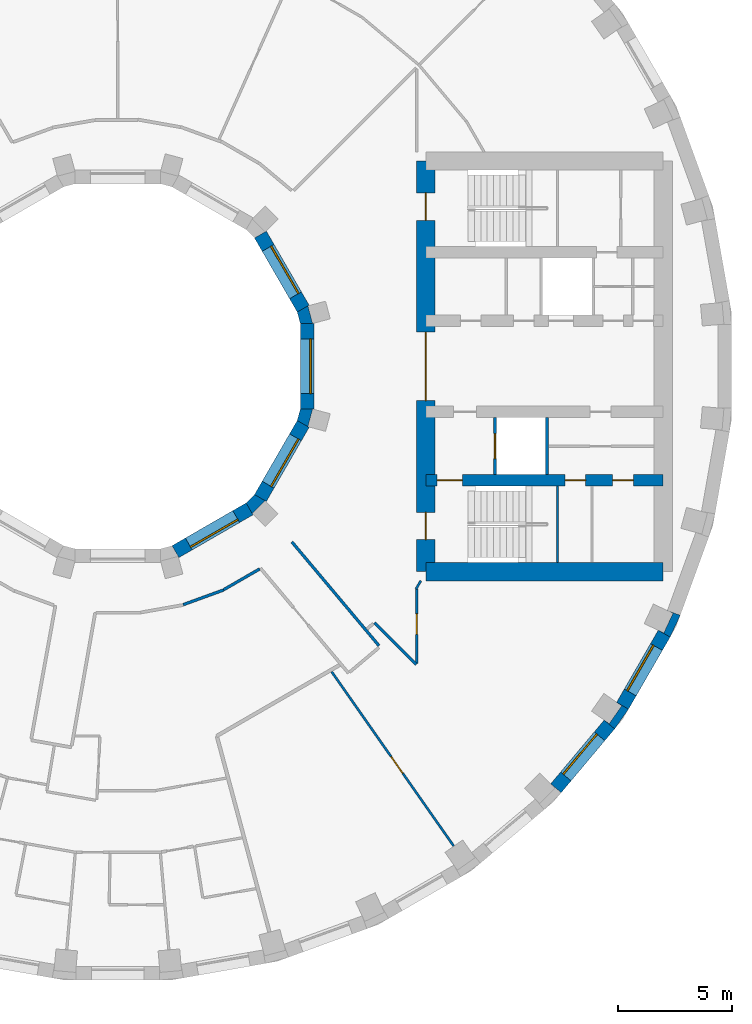
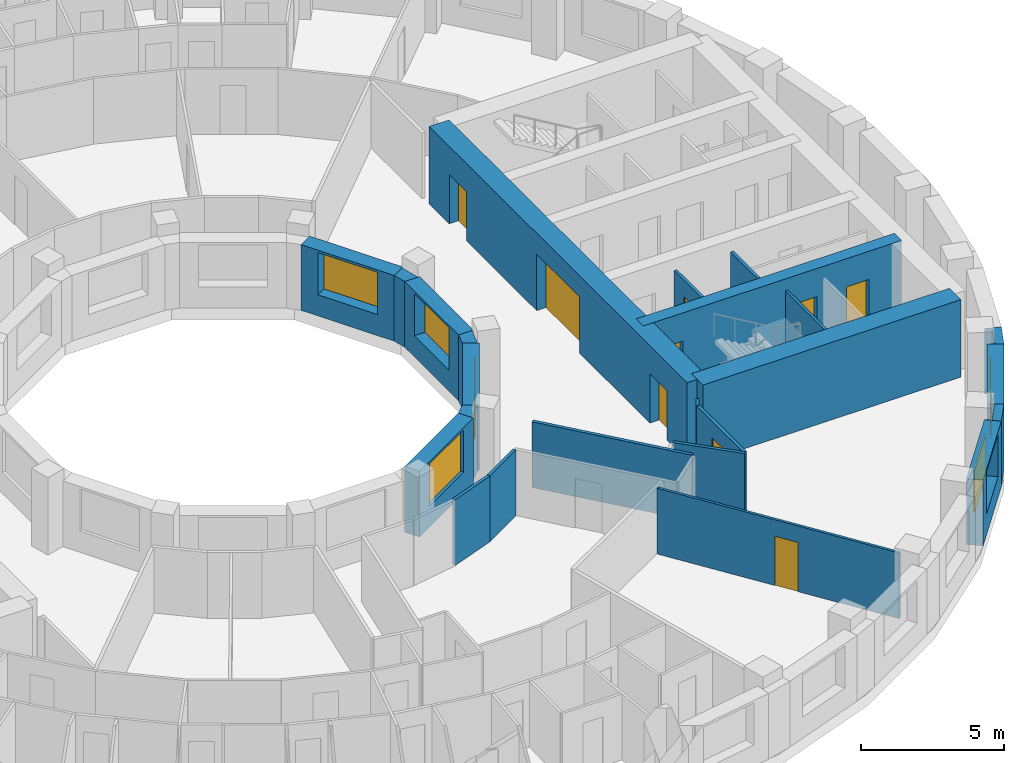
# One storey, part 6 of 12: 24 walls, 9 doors, 6 windows, 15 openings.
"""IFC4 building model written with IfcOpenShell, lengths in metres."""

from ifc_helpers import new_model, si_unit, direction, frame, frame_2d, origin, place, context, subcontext, project, spatial, polyline, rectangle, outline, extrude, material, layer, layer_set, type_object, element, fill, save


model = new_model("IFC4")

# Units and contexts
model_context = context("Model", 3, precision=1e-05, world=origin(), true_north=direction((0.0, 1.0)))
body_context = subcontext(model_context, "Body", "Model", "MODEL_VIEW")
ifc_project = project(units=[si_unit("LENGTHUNIT", "METRE"), si_unit("AREAUNIT", "SQUARE_METRE"), si_unit("VOLUMEUNIT", "CUBIC_METRE"), si_unit("PLANEANGLEUNIT", "RADIAN"), si_unit("MASSUNIT", "GRAM", prefix="KILO")], contexts=[model_context])

# Site, building, storey
site_placement = place(None, origin())
site = spatial("IfcSite", under=ifc_project, at=site_placement, CompositionType="ELEMENT")
building_placement = place(site_placement, origin())
building = spatial("IfcBuilding", under=site, at=building_placement, Name="Saqina Gate Tower", CompositionType="ELEMENT")
storey_placement = place(building_placement, frame((0.0, 0.0, 115.0)))
storey = spatial("IfcBuildingStorey", under=building, at=storey_placement, Name="L32", CompositionType="ELEMENT", Elevation=115.0)

# Walls
ifc_material_1 = material(Name="Brick masonry (buff)", Category="masonry")
wall_type_1 = type_object("IfcWallType", Name="BRICK PIER COPING BUFF", PredefinedType="SOLIDWALL", material=ifc_material_1)
wall_1_placement = place(storey_placement, origin())
element("IfcWall", 1, at=wall_1_placement, inside=storey, type_object=wall_type_1, Name="Pier cap L32 column 33", PredefinedType="SOLIDWALL", context=body_context, shape_type="SweptSolid", body=[
    extrude(outline(polyline([(22.3818359375, -15.0283203125), (21.862060546875, -14.728271484375), (22.08251953125, -14.88232421875), (21.53759765625, -15.66064453125), (21.317138671875, -15.50634765625), (21.77685546875, -15.89208984375), (22.3818359375, -15.0283203125)])), origin(), (0.0, 0.0, 1.0), 2.800048828125),
])
wall_2_placement = place(storey_placement, origin())
element("IfcWall", 2, at=wall_2_placement, inside=storey, type_object=wall_type_1, Name="Pier cap L32 column 34", PredefinedType="SOLIDWALL", context=body_context, shape_type="SweptSolid", body=[
    extrude(outline(polyline([(24.6513671875, -10.913330078125), (24.08740234375, -10.7080078125), (24.331298828125, -10.82177734375), (23.9296875, -11.6826171875), (23.68603515625, -11.569091796875), (24.205810546875, -11.869140625), (24.6513671875, -10.913330078125)])), origin(), (0.0, 0.0, 1.0), 2.800048828125),
])

# Wall, opening, window
ifc_material_2 = material(Name="Brick masonry (buff)", Category="masonry")
ifc_layer_1 = layer(ifc_material_2, 0.60009765625)
ifc_layer_set_1 = layer_set([ifc_layer_1], Name="FW-BRICK-BUFF")
wall_type_2 = type_object("IfcWallType", Name="FW-BRICK-BUFF", PredefinedType="SOLIDWALL", material=ifc_layer_set_1)
wall_3_placement = place(storey_placement, frame((19.202392578125, -18.49365234375, 0.0), z_axis=(0.0, 0.0, 1.0), x_axis=(0.642774476932, 0.766055462616, 0.0)))
wall_3 = element("IfcWall", 3, at=wall_3_placement, inside=storey, type_object=wall_type_2, Name="Facade wall L32 facet 32", PredefinedType="SOLIDWALL", context=body_context, shape_type="SweptSolid", body=[
    extrude(rectangle(XDim=3.647705078125, YDim=0.60009765625, at=frame_2d((1.82373046875, 0.0))), origin(), (0.0, 0.0, 1.0), 2.800048828125),
])
opening_1_placement = place(wall_3_placement, frame((0.673828125, 0.0, 0.89990234375)))
opening_1 = element("IfcOpeningElement", 4, at=opening_1_placement, cuts=wall_3, Name="Opening G09-W24", PredefinedType="OPENING", context=body_context, shape_type="SweptSolid", body=[
    extrude(rectangle(XDim=2.300048828125, YDim=1.800048828125, at=frame_2d((1.14990234375, 0.89990234375))), frame((0.0, 0.31201171875, 0.0), z_axis=(0.0, -1.0, 0.0), x_axis=(1.0, 0.0, 0.0)), (0.0, 0.0, 1.0), 0.6240234375),
])
ifc_material_3 = material(Name="Aluminium glazing", Category="aluminium")
window_type_1 = type_object("IfcWindowType", Name="WN-B", PartitioningType="SINGLE_PANEL", PredefinedType="WINDOW", material=ifc_material_3)
window_1_placement = place(opening_1_placement, origin())
window_1 = element("IfcWindow", 5, at=window_1_placement, inside=storey, type_object=window_type_1, Name="Window L32 facet 32", OverallHeight=1.800048828125, OverallWidth=2.300048828125, PartitioningType="SINGLE_PANEL", PredefinedType="WINDOW", context=body_context, shape_type="SweptSolid", body=[
    extrude(rectangle(XDim=2.300048828125, YDim=1.800048828125, at=frame_2d((1.14990234375, 0.89990234375))), frame((0.0, 0.179931640625, 0.0), z_axis=(0.0, -1.0, 0.0), x_axis=(1.0, 0.0, 0.0)), (0.0, 0.0, 1.0), 0.06005859375),
])
fill(opening_1, window_1)

wall_4_placement = place(storey_placement, frame((22.1220703125, -14.878173828125, 0.0), z_axis=(0.0, 0.0, 1.0), x_axis=(0.499954196102, 0.866051847062, 0.0)))
wall_4 = element("IfcWall", 6, at=wall_4_placement, inside=storey, type_object=wall_type_2, Name="Facade wall L32 facet 33", PredefinedType="SOLIDWALL", context=body_context, shape_type="SweptSolid", body=[
    extrude(rectangle(XDim=3.647705078125, YDim=0.60009765625, at=frame_2d((1.82373046875, 0.0))), origin(), (0.0, 0.0, 1.0), 2.800048828125),
])
opening_2_placement = place(wall_4_placement, frame((0.673828125, 0.0, 0.89990234375)))
opening_2 = element("IfcOpeningElement", 7, at=opening_2_placement, cuts=wall_4, Name="Opening G09-W25", PredefinedType="OPENING", context=body_context, shape_type="SweptSolid", body=[
    extrude(rectangle(XDim=2.300048828125, YDim=1.800048828125, at=frame_2d((1.14990234375, 0.89990234375))), frame((0.0, 0.31201171875, 0.0), z_axis=(0.0, -1.0, 0.0), x_axis=(1.0, 0.0, 0.0)), (0.0, 0.0, 1.0), 0.6240234375),
])
window_2_placement = place(opening_2_placement, origin())
window_2 = element("IfcWindow", 8, at=window_2_placement, inside=storey, type_object=window_type_1, Name="Window L32 facet 33", OverallHeight=1.800048828125, OverallWidth=2.300048828125, PartitioningType="SINGLE_PANEL", PredefinedType="WINDOW", context=body_context, shape_type="SweptSolid", body=[
    extrude(rectangle(XDim=2.300048828125, YDim=1.800048828125, at=frame_2d((1.14990234375, 0.89990234375))), frame((0.0, 0.179931640625, 0.0), z_axis=(0.0, -1.0, 0.0), x_axis=(1.0, 0.0, 0.0)), (0.0, 0.0, 1.0), 0.06005859375),
])
fill(opening_2, window_2)

ifc_material_4 = material(Name="Glazed ceramic tile", Category="ceramic")
ifc_layer_2 = layer(ifc_material_4, 0.60009765625)
ifc_layer_set_2 = layer_set([ifc_layer_2], Name="IW-TILE")
wall_type_3 = type_object("IfcWallType", Name="IW-TILE", PredefinedType="SOLIDWALL", material=ifc_layer_set_2)
wall_5_placement = place(storey_placement, frame((8.124755859375, 2.52734375, 0.0), z_axis=(0.0, 0.0, 1.0), x_axis=(-0.499964958637, 0.86604563398, 0.0)))
wall_5 = element("IfcWall", 9, at=wall_5_placement, inside=storey, type_object=wall_type_3, Name="Well wall L32 facet 1", PredefinedType="SOLIDWALL", context=body_context, shape_type="SweptSolid", body=[
    extrude(rectangle(XDim=3.747314453125, YDim=0.60009765625, at=frame_2d((1.87353515625, 0.0))), origin(), (0.0, 0.0, 1.0), 2.800048828125),
])
opening_3_placement = place(wall_5_placement, frame((0.673583984375, 0.0, 0.89990234375)))
opening_3 = element("IfcOpeningElement", 10, at=opening_3_placement, cuts=wall_5, Name="Opening G09-W26", PredefinedType="OPENING", context=body_context, shape_type="SweptSolid", body=[
    extrude(rectangle(XDim=2.39990234375, YDim=1.800048828125, at=frame_2d((1.199951171875, 0.89990234375))), frame((0.0, 0.31201171875, 0.0), z_axis=(0.0, -1.0, 0.0), x_axis=(1.0, 0.0, 0.0)), (0.0, 0.0, 1.0), 0.6240234375),
])
ifc_material_5 = material(Name="Aluminium glazing", Category="aluminium")
window_type_2 = type_object("IfcWindowType", Name="WN-W", PartitioningType="SINGLE_PANEL", PredefinedType="WINDOW", material=ifc_material_5)
window_3_placement = place(opening_3_placement, origin())
window_3 = element("IfcWindow", 11, at=window_3_placement, inside=storey, type_object=window_type_2, Name="Well window L32 facet 1", OverallHeight=1.800048828125, OverallWidth=2.39990234375, PartitioningType="SINGLE_PANEL", PredefinedType="WINDOW", context=body_context, shape_type="SweptSolid", body=[
    extrude(rectangle(XDim=2.39990234375, YDim=1.800048828125, at=frame_2d((1.199951171875, 0.89990234375))), frame((0.0, -0.119873046875, 0.0), z_axis=(0.0, -1.0, 0.0), x_axis=(1.0, 0.0, 0.0)), (0.0, 0.0, 1.0), 0.06005859375),
])
fill(opening_3, window_3)

wall_6_placement = place(storey_placement, frame((2.52734375, -8.124755859375, 0.0), z_axis=(0.0, 0.0, 1.0), x_axis=(0.86604563398, 0.499964958637, 0.0)))
wall_6 = element("IfcWall", 12, at=wall_6_placement, inside=storey, type_object=wall_type_3, Name="Well wall L32 facet 10", PredefinedType="SOLIDWALL", context=body_context, shape_type="SweptSolid", body=[
    extrude(rectangle(XDim=3.747314453125, YDim=0.60009765625, at=frame_2d((1.87353515625, 0.0))), origin(), (0.0, 0.0, 1.0), 2.800048828125),
])
opening_4_placement = place(wall_6_placement, frame((0.673583984375, 0.0, 0.89990234375)))
opening_4 = element("IfcOpeningElement", 13, at=opening_4_placement, cuts=wall_6, Name="Opening G09-W35", PredefinedType="OPENING", context=body_context, shape_type="SweptSolid", body=[
    extrude(rectangle(XDim=2.39990234375, YDim=1.800048828125, at=frame_2d((1.199951171875, 0.89990234375))), frame((0.0, 0.31201171875, 0.0), z_axis=(0.0, -1.0, 0.0), x_axis=(1.0, 0.0, 0.0)), (0.0, 0.0, 1.0), 0.6240234375),
])
window_4_placement = place(opening_4_placement, origin())
window_4 = element("IfcWindow", 14, at=window_4_placement, inside=storey, type_object=window_type_2, Name="Well window L32 facet 10", OverallHeight=1.800048828125, OverallWidth=2.39990234375, PartitioningType="SINGLE_PANEL", PredefinedType="WINDOW", context=body_context, shape_type="SweptSolid", body=[
    extrude(rectangle(XDim=2.39990234375, YDim=1.800048828125, at=frame_2d((1.199951171875, 0.89990234375))), frame((0.0, -0.119873046875, 0.0), z_axis=(0.0, -1.0, 0.0), x_axis=(1.0, 0.0, 0.0)), (0.0, 0.0, 1.0), 0.06005859375),
])
fill(opening_4, window_4)

wall_7_placement = place(storey_placement, frame((6.251220703125, -5.772705078125, 0.0), z_axis=(0.0, 0.0, 1.0), x_axis=(0.499964958637, 0.86604563398, 0.0)))
wall_7 = element("IfcWall", 15, at=wall_7_placement, inside=storey, type_object=wall_type_3, Name="Well wall L32 facet 11", PredefinedType="SOLIDWALL", context=body_context, shape_type="SweptSolid", body=[
    extrude(rectangle(XDim=3.747314453125, YDim=0.60009765625, at=frame_2d((1.87353515625, 0.0))), origin(), (0.0, 0.0, 1.0), 2.800048828125),
])
opening_5_placement = place(wall_7_placement, frame((0.673583984375, 0.0, 0.89990234375)))
opening_5 = element("IfcOpeningElement", 16, at=opening_5_placement, cuts=wall_7, Name="Opening G09-W36", PredefinedType="OPENING", context=body_context, shape_type="SweptSolid", body=[
    extrude(rectangle(XDim=2.39990234375, YDim=1.800048828125, at=frame_2d((1.199951171875, 0.89990234375))), frame((0.0, 0.31201171875, 0.0), z_axis=(0.0, -1.0, 0.0), x_axis=(1.0, 0.0, 0.0)), (0.0, 0.0, 1.0), 0.6240234375),
])
window_5_placement = place(opening_5_placement, origin())
window_5 = element("IfcWindow", 17, at=window_5_placement, inside=storey, type_object=window_type_2, Name="Well window L32 facet 11", OverallHeight=1.800048828125, OverallWidth=2.39990234375, PartitioningType="SINGLE_PANEL", PredefinedType="WINDOW", context=body_context, shape_type="SweptSolid", body=[
    extrude(rectangle(XDim=2.39990234375, YDim=1.800048828125, at=frame_2d((1.199951171875, 0.89990234375))), frame((0.0, -0.119873046875, 0.0), z_axis=(0.0, -1.0, 0.0), x_axis=(1.0, 0.0, 0.0)), (0.0, 0.0, 1.0), 0.06005859375),
])
fill(opening_5, window_5)

wall_8_placement = place(storey_placement, frame((8.300048828125, -1.873779296875, 0.0), z_axis=(0.0, 0.0, 1.0), x_axis=(0.0, 1.0, 0.0)))
wall_8 = element("IfcWall", 18, at=wall_8_placement, inside=storey, type_object=wall_type_3, Name="Well wall L32 facet 12", PredefinedType="SOLIDWALL", context=body_context, shape_type="SweptSolid", body=[
    extrude(rectangle(XDim=3.74755859375, YDim=0.60009765625, at=frame_2d((1.873779296875, 0.0))), origin(), (0.0, 0.0, 1.0), 2.800048828125),
])
opening_6_placement = place(wall_8_placement, frame((0.673583984375, 0.0, 0.89990234375)))
opening_6 = element("IfcOpeningElement", 19, at=opening_6_placement, cuts=wall_8, Name="Opening G09-W37", PredefinedType="OPENING", context=body_context, shape_type="SweptSolid", body=[
    extrude(rectangle(XDim=2.39990234375, YDim=1.800048828125, at=frame_2d((1.199951171875, 0.89990234375))), frame((0.0, 0.31201171875, 0.0), z_axis=(0.0, -1.0, 0.0), x_axis=(1.0, 0.0, 0.0)), (0.0, 0.0, 1.0), 0.6240234375),
])
window_6_placement = place(opening_6_placement, origin())
window_6 = element("IfcWindow", 20, at=window_6_placement, inside=storey, type_object=window_type_2, Name="Well window L32 facet 12", OverallHeight=1.800048828125, OverallWidth=2.39990234375, PartitioningType="SINGLE_PANEL", PredefinedType="WINDOW", context=body_context, shape_type="SweptSolid", body=[
    extrude(rectangle(XDim=2.39990234375, YDim=1.800048828125, at=frame_2d((1.199951171875, 0.89990234375))), frame((0.0, -0.119873046875, 0.0), z_axis=(0.0, -1.0, 0.0), x_axis=(1.0, 0.0, 0.0)), (0.0, 0.0, 1.0), 0.06005859375),
])
fill(opening_6, window_6)

# Wall, opening, door
ifc_material_6 = material(Name="Gypsum board on steel studs, 100 mm", Category="steel")
ifc_layer_3 = layer(ifc_material_6, 0.10009765625)
ifc_layer_set_3 = layer_set([ifc_layer_3], Name="PARTITION 100")
wall_type_4 = type_object("IfcWallType", Name="PARTITION 100", PredefinedType="PARTITIONING", material=ifc_layer_set_3)
wall_9_placement = place(storey_placement, frame((9.371337890625, -13.384521484375, 0.0), z_axis=(0.0, 0.0, 1.0), x_axis=(0.573555460551, -0.819166731302, 0.0)))
wall_9 = element("IfcWall", 21, at=wall_9_placement, inside=storey, type_object=wall_type_4, Name="PARTITION PW3-17", PredefinedType="PARTITIONING", context=body_context, shape_type="SweptSolid", body=[
    extrude(rectangle(XDim=9.325927734375, YDim=0.10009765625, at=frame_2d((4.6630859375, 0.0))), origin(), (0.0, 0.0, 1.0), 2.800048828125),
])
opening_7_placement = place(wall_9_placement, frame((4.540771484375, 0.0, 0.0)))
opening_7 = element("IfcOpeningElement", 22, at=opening_7_placement, cuts=wall_9, Name="Opening G09-D50", PredefinedType="OPENING", context=body_context, shape_type="SweptSolid", body=[
    extrude(rectangle(XDim=0.89990234375, YDim=2.10009765625, at=frame_2d((0.449951171875, 1.050048828125))), frame((0.0, 0.06201171875, 0.0), z_axis=(0.0, -1.0, 0.0), x_axis=(1.0, 0.0, 0.0)), (0.0, 0.0, 1.0), 0.1240234375),
])
ifc_material_7 = material(Name="Timber door leaf, 900 mm", Category="wood")
door_type_1 = type_object("IfcDoorType", Name="DOOR 900 TIMBER", OperationType="SINGLE_SWING_LEFT", PredefinedType="DOOR", material=ifc_material_7)
door_1_placement = place(opening_7_placement, origin())
door_1 = element("IfcDoor", 23, at=door_1_placement, inside=storey, type_object=door_type_1, Name="DOOR G09-D50", OperationType="SINGLE_SWING_RIGHT", OverallHeight=2.10009765625, OverallWidth=0.89990234375, PredefinedType="DOOR", context=body_context, shape_type="SweptSolid", body=[
    extrude(rectangle(XDim=0.89990234375, YDim=2.10009765625, at=frame_2d((0.449951171875, 1.050048828125))), frame((0.0, 0.02490234375, 0.0), z_axis=(0.0, -1.0, 0.0), x_axis=(1.0, 0.0, 0.0)), (0.0, 0.0, 1.0), 0.050048828125),
])
fill(opening_7, door_1)

# Walls
wall_10_placement = place(storey_placement, frame((13.071044921875, -9.760009765625, 0.0), z_axis=(0.0, 0.0, 1.0), x_axis=(0.500179786662, 0.865921579021, 0.0)))
element("IfcWall", 24, at=wall_10_placement, inside=storey, type_object=wall_type_4, Name="PARTITION PW3-87", PredefinedType="PARTITIONING", context=body_context, shape_type="SweptSolid", body=[
    extrude(rectangle(XDim=0.415771484375, YDim=0.10009765625, at=frame_2d((0.2080078125, 0.0))), origin(), (0.0, 0.0, 1.0), 2.800048828125),
])
ifc_material_8 = material(Name="Gypsum board on steel studs, 125 mm, fire rated", Category="steel")
ifc_layer_4 = layer(ifc_material_8, 0.125)
ifc_layer_set_4 = layer_set([ifc_layer_4], Name="PARTITION EI 30 125")
wall_type_5 = type_object("IfcWallType", Name="PARTITION EI 30 125", PredefinedType="PARTITIONING", material=ifc_layer_set_4)
wall_11_placement = place(storey_placement, frame((7.628662109375, -7.69775390625, 0.0), z_axis=(0.0, 0.0, 1.0), x_axis=(0.642971202284, -0.76589035314, 0.0)))
element("IfcWall", 25, at=wall_11_placement, inside=storey, type_object=wall_type_5, Name="PARTITION PW1-05", PredefinedType="PARTITIONING", context=body_context, shape_type="SweptSolid", body=[
    extrude(rectangle(XDim=5.936767578125, YDim=0.125, at=frame_2d((2.96826171875, 0.0))), origin(), (0.0, 0.0, 1.0), 2.800048828125),
])
wall_12_placement = place(storey_placement, frame((11.240966796875, -11.239013671875, 0.0), z_axis=(0.0, 0.0, 1.0), x_axis=(0.707106781187, -0.707106781187, 0.0)))
element("IfcWall", 26, at=wall_12_placement, inside=storey, type_object=wall_type_5, Name="PARTITION PW1-07", PredefinedType="PARTITIONING", context=body_context, shape_type="SweptSolid", body=[
    extrude(rectangle(XDim=2.590576171875, YDim=0.125, at=frame_2d((1.29541015625, 0.0))), origin(), (0.0, 0.0, 1.0), 2.800048828125),
])
wall_13_placement = place(storey_placement, frame((2.86376953125, -10.44873046875, 0.0), z_axis=(0.0, 0.0, 1.0), x_axis=(0.939733090163, 0.341908934151, 0.0)))
element("IfcWall", 27, at=wall_13_placement, inside=storey, type_object=wall_type_5, Name="PARTITION PW1-31", PredefinedType="PARTITIONING", context=body_context, shape_type="SweptSolid", body=[
    extrude(rectangle(XDim=1.890869140625, YDim=0.125, at=frame_2d((0.9453125, 0.0))), origin(), (0.0, 0.0, 1.0), 2.800048828125),
])
wall_14_placement = place(storey_placement, frame((4.63623046875, -9.794677734375, 0.0), z_axis=(0.0, 0.0, 1.0), x_axis=(0.865889515344, 0.500235291855, 0.0)))
element("IfcWall", 28, at=wall_14_placement, inside=storey, type_object=wall_type_5, Name="PARTITION PW1-35", PredefinedType="PARTITIONING", context=body_context, shape_type="SweptSolid", body=[
    extrude(rectangle(XDim=1.82666015625, YDim=0.125, at=frame_2d((0.913330078125, 0.0))), origin(), (0.0, 0.0, 1.0), 2.800048828125),
])

# Wall, opening, door
wall_15_placement = place(storey_placement, frame((13.10009765625, -13.03662109375, 0.0), z_axis=(0.0, 0.0, 1.0), x_axis=(0.0, 1.0, 0.0)))
wall_15 = element("IfcWall", 29, at=wall_15_placement, inside=storey, type_object=wall_type_5, Name="PARTITION PW1-49", PredefinedType="PARTITIONING", context=body_context, shape_type="SweptSolid", body=[
    extrude(rectangle(XDim=3.276611328125, YDim=0.125, at=frame_2d((1.63818359375, 0.0))), origin(), (0.0, 0.0, 1.0), 2.800048828125),
])
opening_8_placement = place(wall_15_placement, frame((1.281982421875, 0.0, 0.0)))
opening_8 = element("IfcOpeningElement", 30, at=opening_8_placement, cuts=wall_15, Name="Opening G09-D52", PredefinedType="OPENING", context=body_context, shape_type="SweptSolid", body=[
    extrude(rectangle(XDim=0.89990234375, YDim=2.10009765625, at=frame_2d((0.449951171875, 1.050048828125))), frame((0.0, 0.074462890625, 0.0), z_axis=(0.0, -1.0, 0.0), x_axis=(1.0, 0.0, 0.0)), (0.0, 0.0, 1.0), 0.14892578125),
])
ifc_material_9 = material(Name="Fire door leaf EI 30, 900 mm")
door_type_2 = type_object("IfcDoorType", Name="DOOR 900 EI 30", OperationType="SINGLE_SWING_LEFT", PredefinedType="DOOR", material=ifc_material_9)
door_2_placement = place(opening_8_placement, origin())
door_2 = element("IfcDoor", 31, at=door_2_placement, inside=storey, type_object=door_type_2, Name="DOOR G09-D52", OperationType="SINGLE_SWING_LEFT", OverallHeight=2.10009765625, OverallWidth=0.89990234375, PredefinedType="DOOR", context=body_context, shape_type="SweptSolid", body=[
    extrude(rectangle(XDim=0.89990234375, YDim=2.10009765625, at=frame_2d((0.449951171875, 1.050048828125))), frame((0.0, 0.02490234375, 0.0), z_axis=(0.0, -1.0, 0.0), x_axis=(1.0, 0.0, 0.0)), (0.0, 0.0, 1.0), 0.050048828125),
])
fill(opening_8, door_2)

ifc_material_10 = material(Name="Autoclaved aerated concrete block", Category="concrete")
ifc_layer_5 = layer(ifc_material_10, 0.1201171875)
ifc_layer_set_5 = layer_set([ifc_layer_5], Name="SHAFT PARTITION")
wall_type_6 = type_object("IfcWallType", Name="SHAFT PARTITION", PredefinedType="PARTITIONING", material=ifc_layer_set_5)
wall_16_placement = place(storey_placement, frame((16.530029296875, -4.75, 0.0), z_axis=(0.0, 0.0, 1.0), x_axis=(0.0, 1.0, 0.0)))
wall_16 = element("IfcWall", 32, at=wall_16_placement, inside=storey, type_object=wall_type_6, Name="L32-CP-E05", PredefinedType="PARTITIONING", context=body_context, shape_type="SweptSolid", body=[
    extrude(rectangle(XDim=2.5, YDim=0.1201171875, at=frame_2d((1.25, 0.0))), origin(), (0.0, 0.0, 1.0), 2.800048828125),
])
opening_9_placement = place(wall_16_placement, frame((0.699951171875, 0.0, 0.0)))
opening_9 = element("IfcOpeningElement", 33, at=opening_9_placement, cuts=wall_16, Name="Opening G09-LD2", PredefinedType="OPENING", context=body_context, shape_type="SweptSolid", body=[
    extrude(rectangle(XDim=1.10009765625, YDim=2.10009765625, at=frame_2d((0.550048828125, 1.050048828125))), frame((0.0, 0.072021484375, 0.0), z_axis=(0.0, -1.0, 0.0), x_axis=(1.0, 0.0, 0.0)), (0.0, 0.0, 1.0), 0.14404296875),
])
ifc_material_11 = material(Name="Stainless steel", Category="steel")
door_type_3 = type_object("IfcDoorType", Name="LANDING DOOR", OperationType="DOUBLE_DOOR_SLIDING", PredefinedType="DOOR", material=ifc_material_11)
door_3_placement = place(opening_9_placement, origin())
door_3 = element("IfcDoor", 34, at=door_3_placement, inside=storey, type_object=door_type_3, Name="LANDING DOOR FF1", OperationType="DOUBLE_DOOR_SLIDING", OverallHeight=2.10009765625, OverallWidth=1.10009765625, PredefinedType="DOOR", context=body_context, shape_type="SweptSolid", body=[
    extrude(rectangle(XDim=1.10009765625, YDim=2.10009765625, at=frame_2d((0.550048828125, 1.050048828125))), frame((0.0, 0.02490234375, 0.0), z_axis=(0.0, -1.0, 0.0), x_axis=(1.0, 0.0, 0.0)), (0.0, 0.0, 1.0), 0.050048828125),
])
fill(opening_9, door_3)

# Walls
wall_17_placement = place(storey_placement, frame((18.81005859375, -4.75, 0.0), z_axis=(0.0, 0.0, 1.0), x_axis=(0.0, 1.0, 0.0)))
element("IfcWall", 35, at=wall_17_placement, inside=storey, type_object=wall_type_6, Name="L32-CP-E06", PredefinedType="PARTITIONING", context=body_context, shape_type="SweptSolid", body=[
    extrude(rectangle(XDim=2.5, YDim=0.1201171875, at=frame_2d((1.25, 0.0))), origin(), (0.0, 0.0, 1.0), 2.800048828125),
])
ifc_material_12 = material(Name="Autoclaved aerated concrete block", Category="concrete")
ifc_layer_6 = layer(ifc_material_12, 0.10009765625)
ifc_layer_set_6 = layer_set([ifc_layer_6], Name="STAIR ENCLOSURE WALL")
wall_type_7 = type_object("IfcWallType", Name="STAIR ENCLOSURE WALL", PredefinedType="PARTITIONING", material=ifc_layer_set_6)
wall_18_placement = place(storey_placement, frame((19.27001953125, -8.60009765625, 0.0), z_axis=(0.0, 0.0, 1.0), x_axis=(0.0, 1.0, 0.0)))
element("IfcWall", 36, at=wall_18_placement, inside=storey, type_object=wall_type_7, Name="L32-CP-E12", PredefinedType="PARTITIONING", context=body_context, shape_type="SweptSolid", body=[
    extrude(rectangle(XDim=3.35009765625, YDim=0.10009765625, at=frame_2d((1.675048828125, 0.0))), origin(), (0.0, 0.0, 1.0), 2.800048828125),
])

# Wall, openings, doors
ifc_material_13 = material(Name="Concrete C70/85", Category="concrete")
ifc_layer_7 = layer(ifc_material_13, 0.5)
ifc_layer_set_7 = layer_set([ifc_layer_7], Name="Concrete C70/85")
wall_type_8 = type_object("IfcWallType", Name="STR-CORE WALL-B-I", PredefinedType="SHEAR", material=ifc_layer_set_7)
wall_19_placement = place(storey_placement, frame((13.5, -5.0, 0.0), z_axis=(0.0, 0.0, 1.0), x_axis=(1.0, 0.0, 0.0)))
wall_19 = element("IfcWall", 37, at=wall_19_placement, inside=storey, type_object=wall_type_8, Name="CORE WALL L32 E-X2", PredefinedType="SHEAR", context=body_context, shape_type="SweptSolid", body=[
    extrude(rectangle(XDim=10.39990234375, YDim=0.5, at=frame_2d((5.199951171875, 0.0))), origin(), (0.0, 0.0, 1.0), 3.300048828125),
])
opening_10_placement = place(wall_19_placement, frame((6.1015625, 0.0, 0.0)))
opening_10 = element("IfcOpeningElement", 38, at=opening_10_placement, cuts=wall_19, Name="Opening G09-D101", PredefinedType="OPENING", context=body_context, shape_type="SweptSolid", body=[
    extrude(rectangle(XDim=0.89990234375, YDim=2.10009765625, at=frame_2d((0.449951171875, 1.050048828125))), frame((0.0, 0.261962890625, 0.0), z_axis=(0.0, -1.0, 0.0), x_axis=(1.0, 0.0, 0.0)), (0.0, 0.0, 1.0), 0.52392578125),
])
opening_11_placement = place(wall_19_placement, frame((8.19140625, 0.0, 0.0)))
opening_11 = element("IfcOpeningElement", 39, at=opening_11_placement, cuts=wall_19, Name="Opening G09-D102", PredefinedType="OPENING", context=body_context, shape_type="SweptSolid", body=[
    extrude(rectangle(XDim=0.89990234375, YDim=2.10009765625, at=frame_2d((0.449951171875, 1.050048828125))), frame((0.0, 0.261962890625, 0.0), z_axis=(0.0, -1.0, 0.0), x_axis=(1.0, 0.0, 0.0)), (0.0, 0.0, 1.0), 0.52392578125),
])
opening_12_placement = place(wall_19_placement, frame((0.5, 0.0, 0.0)))
opening_12 = element("IfcOpeningElement", 40, at=opening_12_placement, cuts=wall_19, Name="Opening G09-D103", PredefinedType="OPENING", context=body_context, shape_type="SweptSolid", body=[
    extrude(rectangle(XDim=1.10009765625, YDim=2.10009765625, at=frame_2d((0.550048828125, 1.050048828125))), frame((0.0, 0.261962890625, 0.0), z_axis=(0.0, -1.0, 0.0), x_axis=(1.0, 0.0, 0.0)), (0.0, 0.0, 1.0), 0.52392578125),
])
ifc_material_14 = material(Name="Steel", Category="steel")
door_type_4 = type_object("IfcDoorType", Name="FIRE LOBBY DOOR EI 60 WIDE", OperationType="SINGLE_SWING_LEFT", PredefinedType="DOOR", material=ifc_material_14)
door_4_placement = place(opening_12_placement, frame((1.10009765625, 0.0, 0.0), z_axis=(0.0, 0.0, 1.0), x_axis=(-1.0, 0.0, 0.0)))
door_4 = element("IfcDoor", 41, at=door_4_placement, inside=storey, type_object=door_type_4, Name="L32-CD-E14", OperationType="SINGLE_SWING_RIGHT", OverallHeight=2.10009765625, OverallWidth=1.10009765625, PredefinedType="DOOR", context=body_context, shape_type="SweptSolid", body=[
    extrude(rectangle(XDim=1.10009765625, YDim=2.10009765625, at=frame_2d((0.550048828125, 1.050048828125))), frame((0.0, 0.02490234375, 0.0), z_axis=(0.0, -1.0, 0.0), x_axis=(1.0, 0.0, 0.0)), (0.0, 0.0, 1.0), 0.050048828125),
])
fill(opening_12, door_4)
ifc_material_15 = material(Name="Steel-framed fire door leaf, EI 60", Category="steel")
door_type_5 = type_object("IfcDoorType", Name="SERVICE ROOM DOOR 900", OperationType="SINGLE_SWING_LEFT", PredefinedType="DOOR", material=ifc_material_15)
door_5_placement = place(opening_10_placement, origin())
door_5 = element("IfcDoor", 42, at=door_5_placement, inside=storey, type_object=door_type_5, Name="L32-CD-E12", OperationType="SINGLE_SWING_RIGHT", OverallHeight=2.10009765625, OverallWidth=0.89990234375, PredefinedType="DOOR", context=body_context, shape_type="SweptSolid", body=[
    extrude(rectangle(XDim=0.89990234375, YDim=2.10009765625, at=frame_2d((0.449951171875, 1.050048828125))), frame((0.0, 0.02490234375, 0.0), z_axis=(0.0, -1.0, 0.0), x_axis=(1.0, 0.0, 0.0)), (0.0, 0.0, 1.0), 0.050048828125),
])
fill(opening_10, door_5)
door_6_placement = place(opening_11_placement, frame((0.89990234375, 0.0, 0.0), z_axis=(0.0, 0.0, 1.0), x_axis=(-1.0, 0.0, 0.0)))
door_6 = element("IfcDoor", 43, at=door_6_placement, inside=storey, type_object=door_type_5, Name="L32-CD-E13", OperationType="SINGLE_SWING_LEFT", OverallHeight=2.10009765625, OverallWidth=0.89990234375, PredefinedType="DOOR", context=body_context, shape_type="SweptSolid", body=[
    extrude(rectangle(XDim=0.89990234375, YDim=2.10009765625, at=frame_2d((0.449951171875, 1.050048828125))), frame((0.0, 0.02490234375, 0.0), z_axis=(0.0, -1.0, 0.0), x_axis=(1.0, 0.0, 0.0)), (0.0, 0.0, 1.0), 0.050048828125),
])
fill(opening_11, door_6)

ifc_material_16 = material(Name="Concrete C70/85", Category="concrete")
ifc_layer_8 = layer(ifc_material_16, 0.800048828125)
ifc_layer_set_8 = layer_set([ifc_layer_8], Name="Concrete C70/85")
wall_type_9 = type_object("IfcWallType", Name="STR-CORE WALL-B-O", PredefinedType="SHEAR", material=ifc_layer_set_8)
wall_20_placement = place(storey_placement, frame((13.5, -9.0, 0.0), z_axis=(0.0, 0.0, 1.0), x_axis=(0.0, 1.0, 0.0)))
wall_20 = element("IfcWall", 44, at=wall_20_placement, inside=storey, type_object=wall_type_9, Name="CORE WALL L32 E-W1", PredefinedType="SHEAR", context=body_context, shape_type="SweptSolid", body=[
    extrude(rectangle(XDim=18.0, YDim=0.800048828125, at=frame_2d((9.0, 0.0))), origin(), (0.0, 0.0, 1.0), 3.300048828125),
])
opening_13_placement = place(wall_20_placement, frame((15.39990234375, 0.0, 0.0)))
opening_13 = element("IfcOpeningElement", 45, at=opening_13_placement, cuts=wall_20, Name="Opening G09-D104", PredefinedType="OPENING", context=body_context, shape_type="SweptSolid", body=[
    extrude(rectangle(XDim=1.199951171875, YDim=2.10009765625, at=frame_2d((0.60009765625, 1.050048828125))), frame((0.0, 0.412109375, 0.0), z_axis=(0.0, -1.0, 0.0), x_axis=(1.0, 0.0, 0.0)), (0.0, 0.0, 1.0), 0.823974609375),
])
opening_14_placement = place(wall_20_placement, frame((1.39990234375, 0.0, 0.0)))
opening_14 = element("IfcOpeningElement", 46, at=opening_14_placement, cuts=wall_20, Name="Opening G09-D105", PredefinedType="OPENING", context=body_context, shape_type="SweptSolid", body=[
    extrude(rectangle(XDim=1.199951171875, YDim=2.10009765625, at=frame_2d((0.60009765625, 1.050048828125))), frame((0.0, 0.412109375, 0.0), z_axis=(0.0, -1.0, 0.0), x_axis=(1.0, 0.0, 0.0)), (0.0, 0.0, 1.0), 0.823974609375),
])
opening_15_placement = place(wall_20_placement, frame((7.5, 0.0, 0.0)))
opening_15 = element("IfcOpeningElement", 47, at=opening_15_placement, cuts=wall_20, Name="Opening G09-D106", PredefinedType="OPENING", context=body_context, shape_type="SweptSolid", body=[
    extrude(rectangle(XDim=3.0, YDim=2.39990234375, at=frame_2d((1.5, 1.199951171875))), frame((0.0, 0.412109375, 0.0), z_axis=(0.0, -1.0, 0.0), x_axis=(1.0, 0.0, 0.0)), (0.0, 0.0, 1.0), 0.823974609375),
])
ifc_material_17 = material(Name="Steel", Category="steel")
door_type_6 = type_object("IfcDoorType", Name="FIRE DOOR EI 60", OperationType="SINGLE_SWING_LEFT", PredefinedType="DOOR", material=ifc_material_17)
door_7_placement = place(opening_13_placement, frame((1.199951171875, 0.0, 0.0), z_axis=(0.0, 0.0, 1.0), x_axis=(-1.0, 0.0, 0.0)))
door_7 = element("IfcDoor", 48, at=door_7_placement, inside=storey, type_object=door_type_6, Name="L32-CD-E15", OperationType="SINGLE_SWING_LEFT", OverallHeight=2.10009765625, OverallWidth=1.199951171875, PredefinedType="DOOR", context=body_context, shape_type="SweptSolid", body=[
    extrude(rectangle(XDim=1.199951171875, YDim=2.10009765625, at=frame_2d((0.60009765625, 1.050048828125))), frame((0.0, 0.02490234375, 0.0), z_axis=(0.0, -1.0, 0.0), x_axis=(1.0, 0.0, 0.0)), (0.0, 0.0, 1.0), 0.050048828125),
])
fill(opening_13, door_7)
door_8_placement = place(opening_14_placement, frame((1.199951171875, 0.0, 0.0), z_axis=(0.0, 0.0, 1.0), x_axis=(-1.0, 0.0, 0.0)))
door_8 = element("IfcDoor", 49, at=door_8_placement, inside=storey, type_object=door_type_6, Name="L32-CD-E16", OperationType="SINGLE_SWING_RIGHT", OverallHeight=2.10009765625, OverallWidth=1.199951171875, PredefinedType="DOOR", context=body_context, shape_type="SweptSolid", body=[
    extrude(rectangle(XDim=1.199951171875, YDim=2.10009765625, at=frame_2d((0.60009765625, 1.050048828125))), frame((0.0, 0.02490234375, 0.0), z_axis=(0.0, -1.0, 0.0), x_axis=(1.0, 0.0, 0.0)), (0.0, 0.0, 1.0), 0.050048828125),
])
fill(opening_14, door_8)
ifc_material_18 = material(Name="Steel and fire-resisting glass", Category="steel")
door_type_7 = type_object("IfcDoorType", Name="LOBBY SCREEN DOOR", OperationType="DOUBLE_DOOR_SLIDING", PredefinedType="DOOR", material=ifc_material_18)
door_9_placement = place(opening_15_placement, origin())
door_9 = element("IfcDoor", 50, at=door_9_placement, inside=storey, type_object=door_type_7, Name="L32-CD-E17", OperationType="DOUBLE_DOOR_SLIDING", OverallHeight=2.39990234375, OverallWidth=3.0, PredefinedType="DOOR", context=body_context, shape_type="SweptSolid", body=[
    extrude(rectangle(XDim=3.0, YDim=2.39990234375, at=frame_2d((1.5, 1.199951171875))), frame((0.0, 0.02490234375, 0.0), z_axis=(0.0, -1.0, 0.0), x_axis=(1.0, 0.0, 0.0)), (0.0, 0.0, 1.0), 0.050048828125),
])
fill(opening_15, door_9)

# Walls
wall_21_placement = place(storey_placement, frame((13.5, -9.0, 0.0), z_axis=(0.0, 0.0, 1.0), x_axis=(1.0, 0.0, 0.0)))
element("IfcWall", 51, at=wall_21_placement, inside=storey, type_object=wall_type_9, Name="CORE WALL L32 E-SE", PredefinedType="SHEAR", context=body_context, shape_type="SweptSolid", body=[
    extrude(rectangle(XDim=10.39990234375, YDim=0.800048828125, at=frame_2d((5.199951171875, 0.0))), origin(), (0.0, 0.0, 1.0), 3.300048828125),
])
ifc_material_19 = material(Name="Glazed ceramic tile", Category="ceramic")
wall_type_10 = type_object("IfcWallType", Name="TILE PIER COPING", PredefinedType="SOLIDWALL", material=ifc_material_19)
wall_22_placement = place(storey_placement, origin())
element("IfcWall", 52, at=wall_22_placement, inside=storey, type_object=wall_type_10, Name="Well pier cap L32 column 1", PredefinedType="SOLIDWALL", context=body_context, shape_type="SweptSolid", body=[
    extrude(outline(polyline([(8.3310546875, 2.646484375), (7.864990234375, 2.377197265625), (8.0, 1.873779296875), (8.5380859375, 1.873779296875), (8.3310546875, 2.646484375)])), origin(), (0.0, 0.0, 1.0), 2.800048828125),
])
wall_23_placement = place(storey_placement, origin())
element("IfcWall", 53, at=wall_23_placement, inside=storey, type_object=wall_type_10, Name="Well pier cap L32 column 11", PredefinedType="SOLIDWALL", context=body_context, shape_type="SweptSolid", body=[
    extrude(outline(polyline([(5.891845703125, -6.45751953125), (6.45751953125, -5.891845703125), (5.991455078125, -5.622802734375), (5.622802734375, -5.991455078125), (5.891845703125, -6.45751953125)])), origin(), (0.0, 0.0, 1.0), 2.800048828125),
])
wall_24_placement = place(storey_placement, origin())
element("IfcWall", 54, at=wall_24_placement, inside=storey, type_object=wall_type_10, Name="Well pier cap L32 column 12", PredefinedType="SOLIDWALL", context=body_context, shape_type="SweptSolid", body=[
    extrude(outline(polyline([(8.5380859375, -1.873779296875), (8.0, -1.873779296875), (7.864990234375, -2.377197265625), (8.3310546875, -2.646484375), (8.5380859375, -1.873779296875)])), origin(), (0.0, 0.0, 1.0), 2.800048828125),
])

save(model, "model.ifc")
